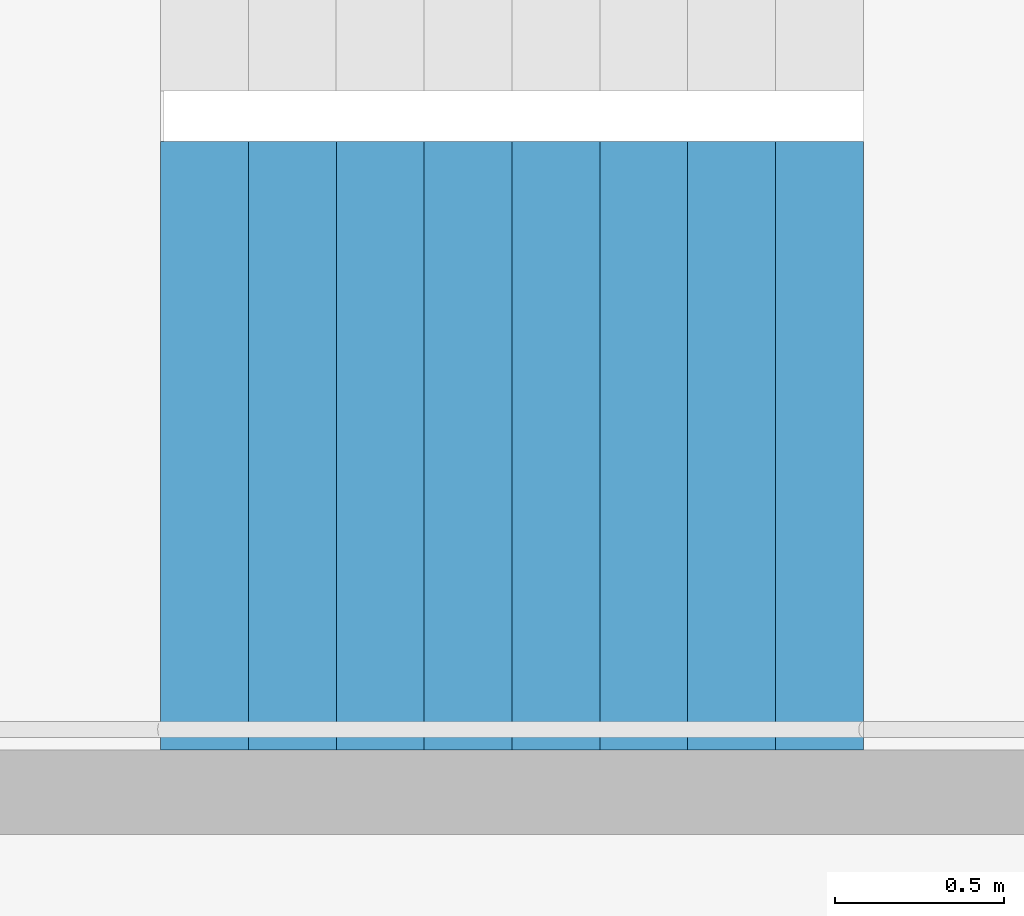
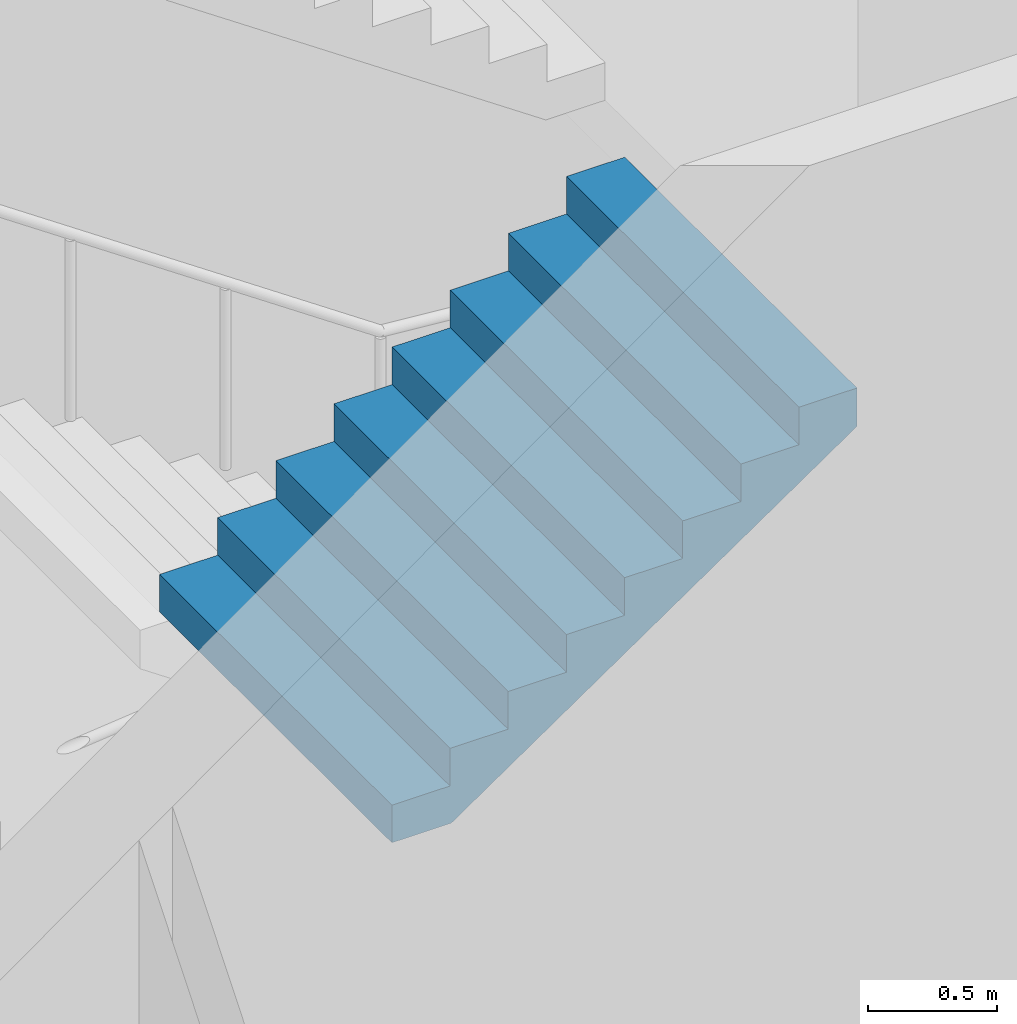
# One storey, part 21 of 42: 1 stair flight, 1 element without a shape of its own.
"""IFC4 building model written with IfcOpenShell, lengths in metres."""

from ifc_helpers import new_model, si_unit, direction, frame, origin, place, context, subcontext, project, spatial, triangles, material, type_object, element, aggregate, save


model = new_model("IFC4")

# Units and contexts
model_context = context("Model", 3, precision=1e-05, world=origin(), true_north=direction((0.0, 1.0)))
body_context = subcontext(model_context, "Body", "Model", "MODEL_VIEW")
ifc_project = project(units=[si_unit("LENGTHUNIT", "METRE"), si_unit("AREAUNIT", "SQUARE_METRE"), si_unit("VOLUMEUNIT", "CUBIC_METRE"), si_unit("PLANEANGLEUNIT", "RADIAN"), si_unit("MASSUNIT", "GRAM", prefix="KILO")], contexts=[model_context])

# Site, building, storey
site_placement = place(None, origin())
site = spatial("IfcSite", under=ifc_project, at=site_placement, CompositionType="ELEMENT")
building_placement = place(site_placement, origin())
building = spatial("IfcBuilding", under=site, at=building_placement, Name="Hakoniwa Tower and Hamabe Station Hall", CompositionType="ELEMENT")
storey_placement = place(building_placement, frame((0.0, 0.0, 232.60009765625)))
storey = spatial("IfcBuildingStorey", under=building, at=storey_placement, Name="L66", CompositionType="ELEMENT", Elevation=232.60009765625)

# Stair, stair flight
ifc_material_1 = material(Name="Concrete C40", Category="concrete")
stair_type = type_object("IfcStairType", Name="ESCAPE STAIR 1800", PredefinedType="HALF_TURN_STAIR", material=ifc_material_1)
stair_placement = place(storey_placement, origin())
stair = element("IfcStair", 1, at=stair_placement, inside=storey, type_object=stair_type, Name="Escape stair ST-1 L66", PredefinedType="HALF_TURN_STAIR")
ifc_material_2 = material(Name="Concrete C40", Category="concrete")
stair_flight_type = type_object("IfcStairFlightType", Name="STAIR FLIGHT 1800", PredefinedType="STRAIGHT", material=ifc_material_2)
stair_flight_placement = place(storey_placement, frame((-24.39990234375, 4.64990234375, 3.199951171875), z_axis=(0.0, 0.0, 1.0), x_axis=(1.0, 0.0, 0.0)))
stair_flight = element("IfcStairFlight", 2, at=stair_flight_placement, type_object=stair_flight_type, Name="ST-1 flight 3", NumberOfRisers=9, NumberOfTreads=8, PredefinedType="STRAIGHT", RiserHeight=0.177777778, TreadLength=0.26, context=body_context, shape_type="Tessellation", body=[
    triangles([(0.0, 0.89990234375, 0.0), (0.260009765625, 0.89990234375, 0.0), (0.265625, 0.89990234375, 0.0), (0.52001953125, 0.89990234375, 0.174072265625), (0.780029296875, 0.89990234375, 0.351806640625), (1.0400390625, 0.89990234375, 0.529541015625), (1.300048828125, 0.89990234375, 0.707275390625), (1.56005859375, 0.89990234375, 0.885009765625), (1.820068359375, 0.89990234375, 1.062744140625), (2.080078125, 0.89990234375, 1.24072265625), (2.080078125, 0.89990234375, 1.422119140625), (1.820068359375, 0.89990234375, 1.422119140625), (1.820068359375, 0.89990234375, 1.244384765625), (1.56005859375, 0.89990234375, 1.244384765625), (1.56005859375, 0.89990234375, 1.066650390625), (1.300048828125, 0.89990234375, 1.066650390625), (1.300048828125, 0.89990234375, 0.888916015625), (1.0400390625, 0.89990234375, 0.888916015625), (1.0400390625, 0.89990234375, 0.711181640625), (0.780029296875, 0.89990234375, 0.711181640625), (0.780029296875, 0.89990234375, 0.533447265625), (0.52001953125, 0.89990234375, 0.533447265625), (0.52001953125, 0.89990234375, 0.35546875), (0.265625, 0.89990234375, 0.35546875), (0.260009765625, 0.89990234375, 0.35546875), (0.260009765625, 0.89990234375, 0.177734375), (0.0, 0.89990234375, 0.177734375), (0.0, 0.06005859375, 0.0), (0.260009765625, 0.06005859375, 0.0), (0.265625, 0.06005859375, 0.0), (0.52001953125, 0.06005859375, 0.174072265625), (0.780029296875, 0.06005859375, 0.351806640625), (1.0400390625, 0.06005859375, 0.529541015625), (1.300048828125, 0.06005859375, 0.707275390625), (1.56005859375, 0.06005859375, 0.885009765625), (1.820068359375, 0.06005859375, 1.062744140625), (2.080078125, 0.06005859375, 1.24072265625), (2.080078125, 0.06005859375, 1.422119140625), (1.820068359375, 0.06005859375, 1.422119140625), (1.820068359375, 0.06005859375, 1.244384765625), (1.56005859375, 0.06005859375, 1.244384765625), (1.56005859375, 0.06005859375, 1.066650390625), (1.300048828125, 0.06005859375, 1.066650390625), (1.300048828125, 0.06005859375, 0.888916015625), (1.0400390625, 0.06005859375, 0.888916015625), (1.0400390625, 0.06005859375, 0.711181640625), (0.780029296875, 0.06005859375, 0.711181640625), (0.780029296875, 0.06005859375, 0.533447265625), (0.52001953125, 0.06005859375, 0.533447265625), (0.52001953125, 0.06005859375, 0.35546875), (0.265625, 0.06005859375, 0.35546875), (0.260009765625, 0.06005859375, 0.35546875), (0.260009765625, 0.06005859375, 0.177734375), (0.0, 0.06005859375, 0.177734375), (0.0, 0.04296875, 0.0), (0.260009765625, 0.04296875, 0.0), (0.265625, 0.04296875, 0.0), (0.52001953125, 0.04296875, 0.174072265625), (0.780029296875, 0.04296875, 0.351806640625), (1.0400390625, 0.04296875, 0.529541015625), (1.300048828125, 0.04296875, 0.707275390625), (1.56005859375, 0.04296875, 0.885009765625), (1.820068359375, 0.04296875, 1.062744140625), (2.080078125, 0.04296875, 1.24072265625), (2.080078125, 0.04296875, 1.422119140625), (1.820068359375, 0.04296875, 1.422119140625), (1.820068359375, 0.04296875, 1.244384765625), (1.56005859375, 0.04296875, 1.244384765625), (1.56005859375, 0.04296875, 1.066650390625), (1.300048828125, 0.04296875, 1.066650390625), (1.300048828125, 0.04296875, 0.888916015625), (1.0400390625, 0.04296875, 0.888916015625), (1.0400390625, 0.04296875, 0.711181640625), (0.780029296875, 0.04296875, 0.711181640625), (0.780029296875, 0.04296875, 0.533447265625), (0.52001953125, 0.04296875, 0.533447265625), (0.52001953125, 0.04296875, 0.35546875), (0.265625, 0.04296875, 0.35546875), (0.260009765625, 0.04296875, 0.35546875), (0.260009765625, 0.04296875, 0.177734375), (0.0, 0.04296875, 0.177734375), (0.0, 0.025634765625, 0.0), (0.260009765625, 0.025634765625, 0.0), (0.265625, 0.025634765625, 0.0), (0.52001953125, 0.025634765625, 0.174072265625), (0.780029296875, 0.025634765625, 0.351806640625), (1.0400390625, 0.025634765625, 0.529541015625), (1.300048828125, 0.025634765625, 0.707275390625), (1.56005859375, 0.025634765625, 0.885009765625), (1.820068359375, 0.025634765625, 1.062744140625), (2.080078125, 0.025634765625, 1.24072265625), (2.080078125, 0.025634765625, 1.422119140625), (1.820068359375, 0.025634765625, 1.422119140625), (1.820068359375, 0.025634765625, 1.244384765625), (1.56005859375, 0.025634765625, 1.244384765625), (1.56005859375, 0.025634765625, 1.066650390625), (1.300048828125, 0.025634765625, 1.066650390625), (1.300048828125, 0.025634765625, 0.888916015625), (1.0400390625, 0.025634765625, 0.888916015625), (1.0400390625, 0.025634765625, 0.711181640625), (0.780029296875, 0.025634765625, 0.711181640625), (0.780029296875, 0.025634765625, 0.533447265625), (0.52001953125, 0.025634765625, 0.533447265625), (0.52001953125, 0.025634765625, 0.35546875), (0.265625, 0.025634765625, 0.35546875), (0.260009765625, 0.025634765625, 0.35546875), (0.260009765625, 0.025634765625, 0.177734375), (0.0, 0.025634765625, 0.177734375), (0.0, 0.008544921875, 0.0), (0.260009765625, 0.008544921875, 0.0), (0.265625, 0.008544921875, 0.0), (0.52001953125, 0.008544921875, 0.174072265625), (0.780029296875, 0.008544921875, 0.351806640625), (1.0400390625, 0.008544921875, 0.529541015625), (1.300048828125, 0.008544921875, 0.707275390625), (1.56005859375, 0.008544921875, 0.885009765625), (1.820068359375, 0.008544921875, 1.062744140625), (2.080078125, 0.008544921875, 1.24072265625), (2.080078125, 0.008544921875, 1.422119140625), (1.820068359375, 0.008544921875, 1.422119140625), (1.820068359375, 0.008544921875, 1.244384765625), (1.56005859375, 0.008544921875, 1.244384765625), (1.56005859375, 0.008544921875, 1.066650390625), (1.300048828125, 0.008544921875, 1.066650390625), (1.300048828125, 0.008544921875, 0.888916015625), (1.0400390625, 0.008544921875, 0.888916015625), (1.0400390625, 0.008544921875, 0.711181640625), (0.780029296875, 0.008544921875, 0.711181640625), (0.780029296875, 0.008544921875, 0.533447265625), (0.52001953125, 0.008544921875, 0.533447265625), (0.52001953125, 0.008544921875, 0.35546875), (0.265625, 0.008544921875, 0.35546875), (0.260009765625, 0.008544921875, 0.35546875), (0.260009765625, 0.008544921875, 0.177734375), (0.0, 0.008544921875, 0.177734375), (0.0, -0.008544921875, 0.0), (0.260009765625, -0.008544921875, 0.0), (0.265625, -0.008544921875, 0.0), (0.52001953125, -0.008544921875, 0.174072265625), (0.780029296875, -0.008544921875, 0.351806640625), (1.0400390625, -0.008544921875, 0.529541015625), (1.300048828125, -0.008544921875, 0.707275390625), (1.56005859375, -0.008544921875, 0.885009765625), (1.820068359375, -0.008544921875, 1.062744140625), (2.080078125, -0.008544921875, 1.24072265625), (2.080078125, -0.008544921875, 1.422119140625), (1.820068359375, -0.008544921875, 1.422119140625), (1.820068359375, -0.008544921875, 1.244384765625), (1.56005859375, -0.008544921875, 1.244384765625), (1.56005859375, -0.008544921875, 1.066650390625), (1.300048828125, -0.008544921875, 1.066650390625), (1.300048828125, -0.008544921875, 0.888916015625), (1.0400390625, -0.008544921875, 0.888916015625), (1.0400390625, -0.008544921875, 0.711181640625), (0.780029296875, -0.008544921875, 0.711181640625), (0.780029296875, -0.008544921875, 0.533447265625), (0.52001953125, -0.008544921875, 0.533447265625), (0.52001953125, -0.008544921875, 0.35546875), (0.265625, -0.008544921875, 0.35546875), (0.260009765625, -0.008544921875, 0.35546875), (0.260009765625, -0.008544921875, 0.177734375), (0.0, -0.008544921875, 0.177734375), (0.0, -0.025634765625, 0.0), (0.260009765625, -0.025634765625, 0.0), (0.265625, -0.025634765625, 0.0), (0.52001953125, -0.025634765625, 0.174072265625), (0.780029296875, -0.025634765625, 0.351806640625), (1.0400390625, -0.025634765625, 0.529541015625), (1.300048828125, -0.025634765625, 0.707275390625), (1.56005859375, -0.025634765625, 0.885009765625), (1.820068359375, -0.025634765625, 1.062744140625), (2.080078125, -0.025634765625, 1.24072265625), (2.080078125, -0.025634765625, 1.422119140625), (1.820068359375, -0.025634765625, 1.422119140625), (1.820068359375, -0.025634765625, 1.244384765625), (1.56005859375, -0.025634765625, 1.244384765625), (1.56005859375, -0.025634765625, 1.066650390625), (1.300048828125, -0.025634765625, 1.066650390625), (1.300048828125, -0.025634765625, 0.888916015625), (1.0400390625, -0.025634765625, 0.888916015625), (1.0400390625, -0.025634765625, 0.711181640625), (0.780029296875, -0.025634765625, 0.711181640625), (0.780029296875, -0.025634765625, 0.533447265625), (0.52001953125, -0.025634765625, 0.533447265625), (0.52001953125, -0.025634765625, 0.35546875), (0.265625, -0.025634765625, 0.35546875), (0.260009765625, -0.025634765625, 0.35546875), (0.260009765625, -0.025634765625, 0.177734375), (0.0, -0.025634765625, 0.177734375), (0.0, -0.04296875, 0.0), (0.260009765625, -0.04296875, 0.0), (0.265625, -0.04296875, 0.0), (0.52001953125, -0.04296875, 0.174072265625), (0.780029296875, -0.04296875, 0.351806640625), (1.0400390625, -0.04296875, 0.529541015625), (1.300048828125, -0.04296875, 0.707275390625), (1.56005859375, -0.04296875, 0.885009765625), (1.820068359375, -0.04296875, 1.062744140625), (2.080078125, -0.04296875, 1.24072265625), (2.080078125, -0.04296875, 1.422119140625), (1.820068359375, -0.04296875, 1.422119140625), (1.820068359375, -0.04296875, 1.244384765625), (1.56005859375, -0.04296875, 1.244384765625), (1.56005859375, -0.04296875, 1.066650390625), (1.300048828125, -0.04296875, 1.066650390625), (1.300048828125, -0.04296875, 0.888916015625), (1.0400390625, -0.04296875, 0.888916015625), (1.0400390625, -0.04296875, 0.711181640625), (0.780029296875, -0.04296875, 0.711181640625), (0.780029296875, -0.04296875, 0.533447265625), (0.52001953125, -0.04296875, 0.533447265625), (0.52001953125, -0.04296875, 0.35546875), (0.265625, -0.04296875, 0.35546875), (0.260009765625, -0.04296875, 0.35546875), (0.260009765625, -0.04296875, 0.177734375), (0.0, -0.04296875, 0.177734375), (0.0, -0.06005859375, 0.0), (0.260009765625, -0.06005859375, 0.0), (0.265625, -0.06005859375, 0.0), (0.52001953125, -0.06005859375, 0.174072265625), (0.780029296875, -0.06005859375, 0.351806640625), (1.0400390625, -0.06005859375, 0.529541015625), (1.300048828125, -0.06005859375, 0.707275390625), (1.56005859375, -0.06005859375, 0.885009765625), (1.820068359375, -0.06005859375, 1.062744140625), (2.080078125, -0.06005859375, 1.24072265625), (2.080078125, -0.06005859375, 1.422119140625), (1.820068359375, -0.06005859375, 1.422119140625), (1.820068359375, -0.06005859375, 1.244384765625), (1.56005859375, -0.06005859375, 1.244384765625), (1.56005859375, -0.06005859375, 1.066650390625), (1.300048828125, -0.06005859375, 1.066650390625), (1.300048828125, -0.06005859375, 0.888916015625), (1.0400390625, -0.06005859375, 0.888916015625), (1.0400390625, -0.06005859375, 0.711181640625), (0.780029296875, -0.06005859375, 0.711181640625), (0.780029296875, -0.06005859375, 0.533447265625), (0.52001953125, -0.06005859375, 0.533447265625), (0.52001953125, -0.06005859375, 0.35546875), (0.265625, -0.06005859375, 0.35546875), (0.260009765625, -0.06005859375, 0.35546875), (0.260009765625, -0.06005859375, 0.177734375), (0.0, -0.06005859375, 0.177734375), (0.0, -0.89990234375, 0.0), (0.260009765625, -0.89990234375, 0.0), (0.265625, -0.89990234375, 0.0), (0.52001953125, -0.89990234375, 0.174072265625), (0.780029296875, -0.89990234375, 0.351806640625), (1.0400390625, -0.89990234375, 0.529541015625), (1.300048828125, -0.89990234375, 0.707275390625), (1.56005859375, -0.89990234375, 0.885009765625), (1.820068359375, -0.89990234375, 1.062744140625), (2.080078125, -0.89990234375, 1.24072265625), (2.080078125, -0.89990234375, 1.422119140625), (1.820068359375, -0.89990234375, 1.422119140625), (1.820068359375, -0.89990234375, 1.244384765625), (1.56005859375, -0.89990234375, 1.244384765625), (1.56005859375, -0.89990234375, 1.066650390625), (1.300048828125, -0.89990234375, 1.066650390625), (1.300048828125, -0.89990234375, 0.888916015625), (1.0400390625, -0.89990234375, 0.888916015625), (1.0400390625, -0.89990234375, 0.711181640625), (0.780029296875, -0.89990234375, 0.711181640625), (0.780029296875, -0.89990234375, 0.533447265625), (0.52001953125, -0.89990234375, 0.533447265625), (0.52001953125, -0.89990234375, 0.35546875), (0.265625, -0.89990234375, 0.35546875), (0.260009765625, -0.89990234375, 0.35546875), (0.260009765625, -0.89990234375, 0.177734375), (0.0, -0.89990234375, 0.177734375)], [[2, 27, 26], [245, 269, 270], [2, 1, 27], [245, 270, 244], [3, 25, 24], [246, 267, 268], [3, 26, 25], [246, 268, 269], [3, 2, 26], [246, 269, 245], [4, 24, 23], [247, 266, 267], [4, 3, 24], [247, 267, 246], [5, 22, 21], [248, 264, 265], [5, 23, 22], [248, 265, 266], [5, 4, 23], [248, 266, 247], [6, 20, 19], [249, 262, 263], [6, 21, 20], [249, 263, 264], [6, 5, 21], [249, 264, 248], [7, 18, 17], [250, 260, 261], [7, 19, 18], [250, 261, 262], [7, 6, 19], [250, 262, 249], [8, 16, 15], [251, 258, 259], [8, 17, 16], [251, 259, 260], [8, 7, 17], [251, 260, 250], [9, 14, 13], [252, 256, 257], [9, 15, 14], [252, 257, 258], [9, 8, 15], [252, 258, 251], [10, 12, 11], [253, 254, 255], [10, 13, 12], [253, 255, 256], [10, 9, 13], [253, 256, 252], [1, 2, 29], [1, 29, 28], [28, 29, 56], [28, 56, 55], [55, 56, 83], [55, 83, 82], [82, 83, 110], [82, 110, 109], [109, 110, 137], [109, 137, 136], [136, 137, 164], [136, 164, 163], [163, 164, 191], [163, 191, 190], [190, 191, 218], [190, 218, 217], [217, 218, 245], [217, 245, 244], [2, 3, 30], [2, 30, 29], [29, 30, 57], [29, 57, 56], [56, 57, 84], [56, 84, 83], [83, 84, 111], [83, 111, 110], [110, 111, 138], [110, 138, 137], [137, 138, 165], [137, 165, 164], [164, 165, 192], [164, 192, 191], [191, 192, 219], [191, 219, 218], [218, 219, 246], [218, 246, 245], [3, 4, 31], [3, 31, 30], [30, 31, 58], [30, 58, 57], [57, 58, 85], [57, 85, 84], [84, 85, 112], [84, 112, 111], [111, 112, 139], [111, 139, 138], [138, 139, 166], [138, 166, 165], [165, 166, 193], [165, 193, 192], [192, 193, 220], [192, 220, 219], [219, 220, 247], [219, 247, 246], [4, 5, 32], [4, 32, 31], [31, 32, 59], [31, 59, 58], [58, 59, 86], [58, 86, 85], [85, 86, 113], [85, 113, 112], [112, 113, 140], [112, 140, 139], [139, 140, 167], [139, 167, 166], [166, 167, 194], [166, 194, 193], [193, 194, 221], [193, 221, 220], [220, 221, 248], [220, 248, 247], [5, 6, 33], [5, 33, 32], [32, 33, 60], [32, 60, 59], [59, 60, 87], [59, 87, 86], [86, 87, 114], [86, 114, 113], [113, 114, 141], [113, 141, 140], [140, 141, 168], [140, 168, 167], [167, 168, 195], [167, 195, 194], [194, 195, 222], [194, 222, 221], [221, 222, 249], [221, 249, 248], [6, 7, 34], [6, 34, 33], [33, 34, 61], [33, 61, 60], [60, 61, 88], [60, 88, 87], [87, 88, 115], [87, 115, 114], [114, 115, 142], [114, 142, 141], [141, 142, 169], [141, 169, 168], [168, 169, 196], [168, 196, 195], [195, 196, 223], [195, 223, 222], [222, 223, 250], [222, 250, 249], [7, 8, 35], [7, 35, 34], [34, 35, 62], [34, 62, 61], [61, 62, 89], [61, 89, 88], [88, 89, 116], [88, 116, 115], [115, 116, 143], [115, 143, 142], [142, 143, 170], [142, 170, 169], [169, 170, 197], [169, 197, 196], [196, 197, 224], [196, 224, 223], [223, 224, 251], [223, 251, 250], [8, 9, 36], [8, 36, 35], [35, 36, 63], [35, 63, 62], [62, 63, 90], [62, 90, 89], [89, 90, 117], [89, 117, 116], [116, 117, 144], [116, 144, 143], [143, 144, 171], [143, 171, 170], [170, 171, 198], [170, 198, 197], [197, 198, 225], [197, 225, 224], [224, 225, 252], [224, 252, 251], [9, 10, 37], [9, 37, 36], [36, 37, 64], [36, 64, 63], [63, 64, 91], [63, 91, 90], [90, 91, 118], [90, 118, 117], [117, 118, 145], [117, 145, 144], [144, 145, 172], [144, 172, 171], [171, 172, 199], [171, 199, 198], [198, 199, 226], [198, 226, 225], [225, 226, 253], [225, 253, 252], [10, 11, 38], [10, 38, 37], [37, 38, 65], [37, 65, 64], [64, 65, 92], [64, 92, 91], [91, 92, 119], [91, 119, 118], [118, 119, 146], [118, 146, 145], [145, 146, 173], [145, 173, 172], [172, 173, 200], [172, 200, 199], [199, 200, 227], [199, 227, 226], [226, 227, 254], [226, 254, 253], [11, 12, 39], [11, 39, 38], [38, 39, 66], [38, 66, 65], [65, 66, 93], [65, 93, 92], [92, 93, 120], [92, 120, 119], [119, 120, 147], [119, 147, 146], [146, 147, 174], [146, 174, 173], [173, 174, 201], [173, 201, 200], [200, 201, 228], [200, 228, 227], [227, 228, 255], [227, 255, 254], [12, 13, 40], [12, 40, 39], [39, 40, 67], [39, 67, 66], [66, 67, 94], [66, 94, 93], [93, 94, 121], [93, 121, 120], [120, 121, 148], [120, 148, 147], [147, 148, 175], [147, 175, 174], [174, 175, 202], [174, 202, 201], [201, 202, 229], [201, 229, 228], [228, 229, 256], [228, 256, 255], [13, 14, 41], [13, 41, 40], [40, 41, 68], [40, 68, 67], [67, 68, 95], [67, 95, 94], [94, 95, 122], [94, 122, 121], [121, 122, 149], [121, 149, 148], [148, 149, 176], [148, 176, 175], [175, 176, 203], [175, 203, 202], [202, 203, 230], [202, 230, 229], [229, 230, 257], [229, 257, 256], [14, 15, 42], [14, 42, 41], [41, 42, 69], [41, 69, 68], [68, 69, 96], [68, 96, 95], [95, 96, 123], [95, 123, 122], [122, 123, 150], [122, 150, 149], [149, 150, 177], [149, 177, 176], [176, 177, 204], [176, 204, 203], [203, 204, 231], [203, 231, 230], [230, 231, 258], [230, 258, 257], [15, 16, 43], [15, 43, 42], [42, 43, 70], [42, 70, 69], [69, 70, 97], [69, 97, 96], [96, 97, 124], [96, 124, 123], [123, 124, 151], [123, 151, 150], [150, 151, 178], [150, 178, 177], [177, 178, 205], [177, 205, 204], [204, 205, 232], [204, 232, 231], [231, 232, 259], [231, 259, 258], [16, 17, 44], [16, 44, 43], [43, 44, 71], [43, 71, 70], [70, 71, 98], [70, 98, 97], [97, 98, 125], [97, 125, 124], [124, 125, 152], [124, 152, 151], [151, 152, 179], [151, 179, 178], [178, 179, 206], [178, 206, 205], [205, 206, 233], [205, 233, 232], [232, 233, 260], [232, 260, 259], [17, 18, 45], [17, 45, 44], [44, 45, 72], [44, 72, 71], [71, 72, 99], [71, 99, 98], [98, 99, 126], [98, 126, 125], [125, 126, 153], [125, 153, 152], [152, 153, 180], [152, 180, 179], [179, 180, 207], [179, 207, 206], [206, 207, 234], [206, 234, 233], [233, 234, 261], [233, 261, 260], [18, 19, 46], [18, 46, 45], [45, 46, 73], [45, 73, 72], [72, 73, 100], [72, 100, 99], [99, 100, 127], [99, 127, 126], [126, 127, 154], [126, 154, 153], [153, 154, 181], [153, 181, 180], [180, 181, 208], [180, 208, 207], [207, 208, 235], [207, 235, 234], [234, 235, 262], [234, 262, 261], [19, 20, 47], [19, 47, 46], [46, 47, 74], [46, 74, 73], [73, 74, 101], [73, 101, 100], [100, 101, 128], [100, 128, 127], [127, 128, 155], [127, 155, 154], [154, 155, 182], [154, 182, 181], [181, 182, 209], [181, 209, 208], [208, 209, 236], [208, 236, 235], [235, 236, 263], [235, 263, 262], [20, 21, 48], [20, 48, 47], [47, 48, 75], [47, 75, 74], [74, 75, 102], [74, 102, 101], [101, 102, 129], [101, 129, 128], [128, 129, 156], [128, 156, 155], [155, 156, 183], [155, 183, 182], [182, 183, 210], [182, 210, 209], [209, 210, 237], [209, 237, 236], [236, 237, 264], [236, 264, 263], [21, 22, 49], [21, 49, 48], [48, 49, 76], [48, 76, 75], [75, 76, 103], [75, 103, 102], [102, 103, 130], [102, 130, 129], [129, 130, 157], [129, 157, 156], [156, 157, 184], [156, 184, 183], [183, 184, 211], [183, 211, 210], [210, 211, 238], [210, 238, 237], [237, 238, 265], [237, 265, 264], [22, 23, 50], [22, 50, 49], [49, 50, 77], [49, 77, 76], [76, 77, 104], [76, 104, 103], [103, 104, 131], [103, 131, 130], [130, 131, 158], [130, 158, 157], [157, 158, 185], [157, 185, 184], [184, 185, 212], [184, 212, 211], [211, 212, 239], [211, 239, 238], [238, 239, 266], [238, 266, 265], [23, 24, 51], [23, 51, 50], [50, 51, 78], [50, 78, 77], [77, 78, 105], [77, 105, 104], [104, 105, 132], [104, 132, 131], [131, 132, 159], [131, 159, 158], [158, 159, 186], [158, 186, 185], [185, 186, 213], [185, 213, 212], [212, 213, 240], [212, 240, 239], [239, 240, 267], [239, 267, 266], [24, 25, 52], [24, 52, 51], [51, 52, 79], [51, 79, 78], [78, 79, 106], [78, 106, 105], [105, 106, 133], [105, 133, 132], [132, 133, 160], [132, 160, 159], [159, 160, 187], [159, 187, 186], [186, 187, 214], [186, 214, 213], [213, 214, 241], [213, 241, 240], [240, 241, 268], [240, 268, 267], [25, 26, 53], [25, 53, 52], [52, 53, 80], [52, 80, 79], [79, 80, 107], [79, 107, 106], [106, 107, 134], [106, 134, 133], [133, 134, 161], [133, 161, 160], [160, 161, 188], [160, 188, 187], [187, 188, 215], [187, 215, 214], [214, 215, 242], [214, 242, 241], [241, 242, 269], [241, 269, 268], [26, 27, 54], [26, 54, 53], [53, 54, 81], [53, 81, 80], [80, 81, 108], [80, 108, 107], [107, 108, 135], [107, 135, 134], [134, 135, 162], [134, 162, 161], [161, 162, 189], [161, 189, 188], [188, 189, 216], [188, 216, 215], [215, 216, 243], [215, 243, 242], [242, 243, 270], [242, 270, 269], [27, 1, 28], [27, 28, 54], [54, 28, 55], [54, 55, 81], [81, 55, 82], [81, 82, 108], [108, 82, 109], [108, 109, 135], [135, 109, 136], [135, 136, 162], [162, 136, 163], [162, 163, 189], [189, 163, 190], [189, 190, 216], [216, 190, 217], [216, 217, 243], [243, 217, 244], [243, 244, 270]], closed=True),
])
aggregate(stair, [stair_flight])

save(model, "model.ifc")
